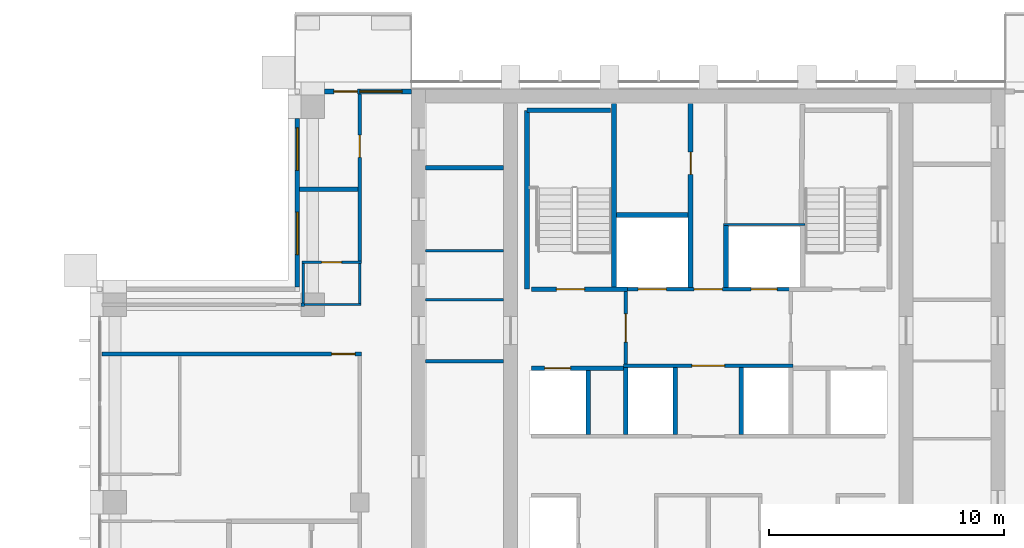
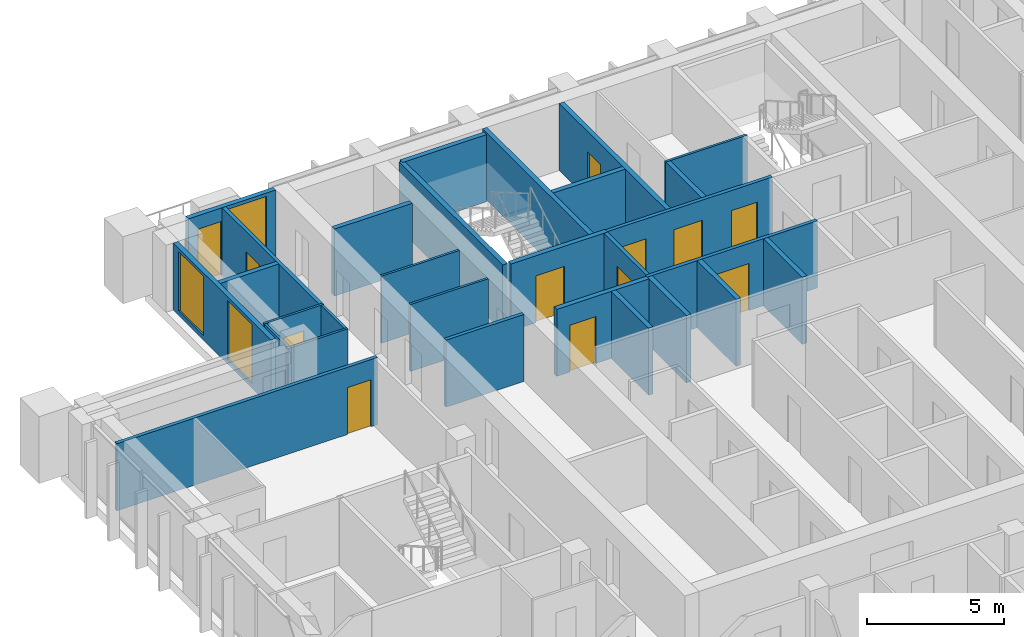
# One storey, part 13 of 19: 30 walls, 12 doors, 3 windows, 15 openings.
"""IFC4 building model written with IfcOpenShell, lengths in metres."""

from ifc_helpers import new_model, si_unit, direction, frame, frame_2d, origin, place, context, subcontext, project, spatial, rectangle, extrude, material, layer, layer_set, type_object, element, fill, save


model = new_model("IFC4")

# Units and contexts
model_context = context("Model", 3, precision=1e-05, world=origin(), true_north=direction((0.0, 1.0)))
body_context = subcontext(model_context, "Body", "Model", "MODEL_VIEW")
ifc_project = project(units=[si_unit("LENGTHUNIT", "METRE"), si_unit("AREAUNIT", "SQUARE_METRE"), si_unit("VOLUMEUNIT", "CUBIC_METRE"), si_unit("PLANEANGLEUNIT", "RADIAN"), si_unit("MASSUNIT", "GRAM", prefix="KILO")], contexts=[model_context])

# Site, building, storey
site_placement = place(None, origin())
site = spatial("IfcSite", under=ifc_project, at=site_placement, CompositionType="ELEMENT")
building_placement = place(site_placement, origin())
building = spatial("IfcBuilding", under=site, at=building_placement, Name="Vermilion Ogive Tower", CompositionType="ELEMENT")
storey_placement = place(building_placement, frame((0.0, 0.0, 213.5)))
storey = spatial("IfcBuildingStorey", under=building, at=storey_placement, Name="L56", CompositionType="ELEMENT", Elevation=213.5)

# Wall
ifc_material_1 = material(Name="Gypsum board partition on steel studs", Category="steel")
ifc_layer_1 = layer(ifc_material_1, 0.10009765625)
ifc_layer_set_1 = layer_set([ifc_layer_1], Name="Partition 100 bath")
wall_type_1 = type_object("IfcWallType", Name="Partition 100 bath", PredefinedType="PARTITIONING", material=ifc_layer_set_1)
wall_1_placement = place(storey_placement, frame((-17.25, 12.60009765625, 0.0), z_axis=(0.0, 0.0, 1.0), x_axis=(1.0, 0.0, 0.0)))
element("IfcWall", 1, at=wall_1_placement, inside=storey, type_object=wall_type_1, Name="L56-W-W034", PredefinedType="PARTITIONING", context=body_context, shape_type="SweptSolid", body=[
    extrude(rectangle(XDim=2.5, YDim=0.10009765625, at=frame_2d((1.25, 0.0))), origin(), (0.0, 0.0, 1.0), 3.0),
])

# Wall, opening, door
wall_2_placement = place(storey_placement, frame((-17.25, 14.39990234375, 0.0), z_axis=(0.0, 0.0, 1.0), x_axis=(1.0, 0.0, 0.0)))
wall_2 = element("IfcWall", 2, at=wall_2_placement, inside=storey, type_object=wall_type_1, Name="L56-W-W037", PredefinedType="PARTITIONING", context=body_context, shape_type="SweptSolid", body=[
    extrude(rectangle(XDim=2.52490234375, YDim=0.10009765625, at=frame_2d((1.262451171875, 0.0))), origin(), (0.0, 0.0, 1.0), 3.0),
])
opening_1_placement = place(wall_2_placement, frame((0.824951171875, 0.0, 0.0)))
opening_1 = element("IfcOpeningElement", 3, at=opening_1_placement, cuts=wall_2, Name="Opening D4G6009", PredefinedType="OPENING", context=body_context, shape_type="SweptSolid", body=[
    extrude(rectangle(XDim=0.85009765625, YDim=2.10009765625, at=frame_2d((0.425048828125, 1.050048828125))), frame((0.0, 0.06005859375, 0.0), z_axis=(0.0, -1.0, 0.0), x_axis=(1.0, 0.0, 0.0)), (0.0, 0.0, 1.0), 0.1201171875),
])
ifc_material_2 = material(Name="Timber door leaf", Category="wood")
door_type_1 = type_object("IfcDoorType", Name="Bath door 850 x 2100 FD30", OperationType="SINGLE_SWING_LEFT", PredefinedType="DOOR", material=ifc_material_2)
door_1_placement = place(opening_1_placement, origin())
door_1 = element("IfcDoor", 4, at=door_1_placement, inside=storey, type_object=door_type_1, Name="L56-D-D009", OperationType="SINGLE_SWING_RIGHT", OverallHeight=2.10009765625, OverallWidth=0.85009765625, PredefinedType="DOOR", context=body_context, shape_type="SweptSolid", body=[
    extrude(rectangle(XDim=0.85009765625, YDim=2.10009765625, at=frame_2d((0.425048828125, 1.050048828125))), frame((0.0, 0.02490234375, 0.0), z_axis=(0.0, -1.0, 0.0), x_axis=(1.0, 0.0, 0.0)), (0.0, 0.0, 1.0), 0.050048828125),
])
fill(opening_1, door_1)

# Walls
wall_3_placement = place(storey_placement, frame((-17.199951171875, 12.675048828125, 0.0), z_axis=(0.0, 0.0, 1.0), x_axis=(0.0, 1.0, 0.0)))
element("IfcWall", 5, at=wall_3_placement, inside=storey, type_object=wall_type_1, Name="L56-W-W045", PredefinedType="PARTITIONING", context=body_context, shape_type="SweptSolid", body=[
    extrude(rectangle(XDim=1.675048828125, YDim=0.10009765625, at=frame_2d((0.83740234375, 0.0))), origin(), (0.0, 0.0, 1.0), 3.0),
])
wall_4_placement = place(storey_placement, frame((-14.800048828125, 12.64990234375, 0.0), z_axis=(0.0, 0.0, 1.0), x_axis=(0.0, 1.0, 0.0)))
element("IfcWall", 6, at=wall_4_placement, inside=storey, type_object=wall_type_1, Name="L56-W-W051", PredefinedType="PARTITIONING", context=body_context, shape_type="SweptSolid", body=[
    extrude(rectangle(XDim=1.7001953125, YDim=0.10009765625, at=frame_2d((0.85009765625, 0.0))), origin(), (0.0, 0.0, 1.0), 3.0),
])
wall_5_placement = place(storey_placement, frame((0.64990234375, 16.0, 0.0), z_axis=(0.0, 0.0, 1.0), x_axis=(1.0, 0.0, 0.0)))
element("IfcWall", 7, at=wall_5_placement, inside=storey, type_object=wall_type_1, Name="L56-CK-W-W018", PredefinedType="PARTITIONING", context=body_context, shape_type="SweptSolid", body=[
    extrude(rectangle(XDim=3.4501953125, YDim=0.10009765625, at=frame_2d((1.72509765625, 0.0))), origin(), (0.0, 0.0, 1.0), 3.0),
])
for number, where, z_axis, x_axis, name in (
    (8, (-11.9990234375, 12.800048828125, 0.0), (0.0, 0.0, 1.0), (1.0, 0.0, 0.0), "L56-CKW-W-W003"),
    (9, (-11.9990234375, 14.89111328125, 0.0), (0.0, 0.0, 1.0), (1.0, 0.0, 0.0), "L56-CKW-W-W004"),
):
    element("IfcWall", number, at=place(storey_placement, frame(where, z_axis=z_axis, x_axis=x_axis)), inside=storey, type_object=wall_type_1, Name=name, PredefinedType="PARTITIONING", context=body_context, shape_type="SweptSolid", body=[
        extrude(rectangle(XDim=3.298095703125, YDim=0.10009765625, at=frame_2d((1.64892578125, 0.0))), origin(), (0.0, 0.0, 1.0), 3.0),
    ])

# Wall, opening, door
ifc_material_3 = material(Name="Gypsum board partition on steel studs", Category="steel")
ifc_layer_2 = layer(ifc_material_3, 0.14990234375)
ifc_layer_set_2 = layer_set([ifc_layer_2], Name="Partition 150 corridor")
wall_type_2 = type_object("IfcWallType", Name="Partition 150 corridor", PredefinedType="PARTITIONING", material=ifc_layer_set_2)
wall_6_placement = place(storey_placement, frame((-25.75, 10.5, 0.0), z_axis=(0.0, 0.0, 1.0), x_axis=(1.0, 0.0, 0.0)))
wall_6 = element("IfcWall", 10, at=wall_6_placement, inside=storey, type_object=wall_type_2, Name="L56-W-W031", PredefinedType="PARTITIONING", context=body_context, shape_type="SweptSolid", body=[
    extrude(rectangle(XDim=11.02490234375, YDim=0.14990234375, at=frame_2d((5.512451171875, 0.0))), origin(), (0.0, 0.0, 1.0), 3.0),
])
opening_2_placement = place(wall_6_placement, frame((9.75, 0.0, 0.0)))
opening_2 = element("IfcOpeningElement", 11, at=opening_2_placement, cuts=wall_6, Name="Opening D4G6005", PredefinedType="OPENING", context=body_context, shape_type="SweptSolid", body=[
    extrude(rectangle(XDim=1.0, YDim=2.10009765625, at=frame_2d((0.5, 1.050048828125))), frame((0.0, 0.0849609375, 0.0), z_axis=(0.0, -1.0, 0.0), x_axis=(1.0, 0.0, 0.0)), (0.0, 0.0, 1.0), 0.169921875),
])
ifc_material_4 = material(Name="Timber door leaf", Category="wood")
door_type_2 = type_object("IfcDoorType", Name="Unit door 1000 x 2100 FD30S", OperationType="SINGLE_SWING_LEFT", PredefinedType="DOOR", material=ifc_material_4)
door_2_placement = place(opening_2_placement, origin())
door_2 = element("IfcDoor", 12, at=door_2_placement, inside=storey, type_object=door_type_2, Name="L56-D-D005", OperationType="SINGLE_SWING_RIGHT", OverallHeight=2.10009765625, OverallWidth=1.0, PredefinedType="DOOR", context=body_context, shape_type="SweptSolid", body=[
    extrude(rectangle(XDim=1.0, YDim=2.10009765625, at=frame_2d((0.5, 1.050048828125))), frame((0.0, 0.02490234375, 0.0), z_axis=(0.0, -1.0, 0.0), x_axis=(1.0, 0.0, 0.0)), (0.0, 0.0, 1.0), 0.050048828125),
])
fill(opening_2, door_2)

wall_7_placement = place(storey_placement, frame((-14.800048828125, 14.449951171875, 0.0), z_axis=(0.0, 0.0, 1.0), x_axis=(0.0, 1.0, 0.0)))
wall_7 = element("IfcWall", 13, at=wall_7_placement, inside=storey, type_object=wall_type_2, Name="L56-W-W052", PredefinedType="PARTITIONING", context=body_context, shape_type="SweptSolid", body=[
    extrude(rectangle(XDim=7.10009765625, YDim=0.14990234375, at=frame_2d((3.550048828125, 0.0))), origin(), (0.0, 0.0, 1.0), 3.0),
])
opening_3_placement = place(wall_7_placement, frame((4.400146484375, 0.0, 0.0)))
opening_3 = element("IfcOpeningElement", 14, at=opening_3_placement, cuts=wall_7, Name="Opening D4G6010", PredefinedType="OPENING", context=body_context, shape_type="SweptSolid", body=[
    extrude(rectangle(XDim=0.949951171875, YDim=2.10009765625, at=frame_2d((0.47509765625, 1.050048828125))), frame((0.0, 0.0849609375, 0.0), z_axis=(0.0, -1.0, 0.0), x_axis=(1.0, 0.0, 0.0)), (0.0, 0.0, 1.0), 0.169921875),
])
ifc_material_5 = material(Name="Timber door leaf", Category="wood")
door_type_3 = type_object("IfcDoorType", Name="Unit door 950 x 2100 FD30S", OperationType="SINGLE_SWING_LEFT", PredefinedType="DOOR", material=ifc_material_5)
door_3_placement = place(opening_3_placement, origin())
door_3 = element("IfcDoor", 15, at=door_3_placement, inside=storey, type_object=door_type_3, Name="L56-D-D010", OperationType="SINGLE_SWING_LEFT", OverallHeight=2.10009765625, OverallWidth=0.949951171875, PredefinedType="DOOR", context=body_context, shape_type="SweptSolid", body=[
    extrude(rectangle(XDim=0.949951171875, YDim=2.10009765625, at=frame_2d((0.47509765625, 1.050048828125))), frame((0.0, 0.02490234375, 0.0), z_axis=(0.0, -1.0, 0.0), x_axis=(1.0, 0.0, 0.0)), (0.0, 0.0, 1.0), 0.050048828125),
])
fill(opening_3, door_3)

wall_8_placement = place(storey_placement, frame((-3.60009765625, 10.0, 0.0), z_axis=(0.0, 0.0, 1.0), x_axis=(1.0, 0.0, 0.0)))
wall_8 = element("IfcWall", 16, at=wall_8_placement, inside=storey, type_object=wall_type_2, Name="L56-CK-W-W014", PredefinedType="PARTITIONING", context=body_context, shape_type="SweptSolid", body=[
    extrude(rectangle(XDim=7.2001953125, YDim=0.14990234375, at=frame_2d((3.60009765625, 0.0))), origin(), (0.0, 0.0, 1.0), 3.0),
])
opening_4_placement = place(wall_8_placement, frame((2.900146484375, 0.0, 0.0)))
opening_4 = element("IfcOpeningElement", 17, at=opening_4_placement, cuts=wall_8, Name="Opening DAA517", PredefinedType="OPENING", context=body_context, shape_type="SweptSolid", body=[
    extrude(rectangle(XDim=1.39990234375, YDim=2.10009765625, at=frame_2d((0.699951171875, 1.050048828125))), frame((0.0, 0.0849609375, 0.0), z_axis=(0.0, -1.0, 0.0), x_axis=(1.0, 0.0, 0.0)), (0.0, 0.0, 1.0), 0.169921875),
])
ifc_material_6 = material(Name="Timber door leaf", Category="wood")
door_type_4 = type_object("IfcDoorType", Name="Lobby door 1400 x 2100 FD60S", OperationType="SINGLE_SWING_LEFT", PredefinedType="DOOR", material=ifc_material_6)
door_4_placement = place(opening_4_placement, origin())
door_4 = element("IfcDoor", 18, at=door_4_placement, inside=storey, type_object=door_type_4, Name="L56-CK-D-D017", OperationType="SINGLE_SWING_RIGHT", OverallHeight=2.10009765625, OverallWidth=1.39990234375, PredefinedType="DOOR", context=body_context, shape_type="SweptSolid", body=[
    extrude(rectangle(XDim=1.39990234375, YDim=2.10009765625, at=frame_2d((0.699951171875, 1.050048828125))), frame((0.0, 0.02490234375, 0.0), z_axis=(0.0, -1.0, 0.0), x_axis=(1.0, 0.0, 0.0)), (0.0, 0.0, 1.0), 0.050048828125),
])
fill(opening_4, door_4)

# Wall, openings, doors
wall_9_placement = place(storey_placement, frame((-3.574951171875, 13.25, 0.0), z_axis=(0.0, 0.0, 1.0), x_axis=(1.0, 0.0, 0.0)))
wall_9 = element("IfcWall", 19, at=wall_9_placement, inside=storey, type_object=wall_type_2, Name="L56-CK-W-W016", PredefinedType="PARTITIONING", context=body_context, shape_type="SweptSolid", body=[
    extrude(rectangle(XDim=7.14990234375, YDim=0.14990234375, at=frame_2d((3.574951171875, 0.0))), origin(), (0.0, 0.0, 1.0), 3.0),
])
opening_5_placement = place(wall_9_placement, frame((0.599853515625, 0.0, 0.0)))
opening_5 = element("IfcOpeningElement", 20, at=opening_5_placement, cuts=wall_9, Name="Opening DAA537", PredefinedType="OPENING", context=body_context, shape_type="SweptSolid", body=[
    extrude(rectangle(XDim=1.199951171875, YDim=2.10009765625, at=frame_2d((0.60009765625, 1.050048828125))), frame((0.0, 0.0849609375, 0.0), z_axis=(0.0, -1.0, 0.0), x_axis=(1.0, 0.0, 0.0)), (0.0, 0.0, 1.0), 0.169921875),
])
opening_6_placement = place(wall_9_placement, frame((5.39990234375, 0.0, 0.0)))
opening_6 = element("IfcOpeningElement", 21, at=opening_6_placement, cuts=wall_9, Name="Opening DAA536", PredefinedType="OPENING", context=body_context, shape_type="SweptSolid", body=[
    extrude(rectangle(XDim=1.10009765625, YDim=2.10009765625, at=frame_2d((0.550048828125, 1.050048828125))), frame((0.0, 0.0849609375, 0.0), z_axis=(0.0, -1.0, 0.0), x_axis=(1.0, 0.0, 0.0)), (0.0, 0.0, 1.0), 0.169921875),
])
opening_7_placement = place(wall_9_placement, frame((2.974853515625, 0.0, 0.0)))
opening_7 = element("IfcOpeningElement", 22, at=opening_7_placement, cuts=wall_9, Name="Opening DAA518", PredefinedType="OPENING", context=body_context, shape_type="SweptSolid", body=[
    extrude(rectangle(XDim=1.199951171875, YDim=2.10009765625, at=frame_2d((0.60009765625, 1.050048828125))), frame((0.0, 0.0849609375, 0.0), z_axis=(0.0, -1.0, 0.0), x_axis=(1.0, 0.0, 0.0)), (0.0, 0.0, 1.0), 0.169921875),
])
ifc_material_7 = material(Name="Stainless steel", Category="steel")
door_type_5 = type_object("IfcDoorType", Name="Lift landing door 1100 x 2100", OperationType="SLIDING_TO_LEFT", PredefinedType="DOOR", material=ifc_material_7)
door_5_placement = place(opening_6_placement, origin())
door_5 = element("IfcDoor", 23, at=door_5_placement, inside=storey, type_object=door_type_5, Name="L56-CK-D-D019", OperationType="SLIDING_TO_LEFT", OverallHeight=2.10009765625, OverallWidth=1.10009765625, PredefinedType="DOOR", context=body_context, shape_type="SweptSolid", body=[
    extrude(rectangle(XDim=1.10009765625, YDim=2.10009765625, at=frame_2d((0.550048828125, 1.050048828125))), frame((0.0, 0.02490234375, 0.0), z_axis=(0.0, -1.0, 0.0), x_axis=(1.0, 0.0, 0.0)), (0.0, 0.0, 1.0), 0.050048828125),
])
fill(opening_6, door_5)
ifc_material_8 = material(Name="Stainless steel", Category="steel")
door_type_6 = type_object("IfcDoorType", Name="Lift landing door 1200 x 2100", OperationType="SLIDING_TO_LEFT", PredefinedType="DOOR", material=ifc_material_8)
door_6_placement = place(opening_5_placement, origin())
door_6 = element("IfcDoor", 24, at=door_6_placement, inside=storey, type_object=door_type_6, Name="L56-CK-D-D018", OperationType="SLIDING_TO_RIGHT", OverallHeight=2.10009765625, OverallWidth=1.199951171875, PredefinedType="DOOR", context=body_context, shape_type="SweptSolid", body=[
    extrude(rectangle(XDim=1.199951171875, YDim=2.10009765625, at=frame_2d((0.60009765625, 1.050048828125))), frame((0.0, 0.02490234375, 0.0), z_axis=(0.0, -1.0, 0.0), x_axis=(1.0, 0.0, 0.0)), (0.0, 0.0, 1.0), 0.050048828125),
])
fill(opening_5, door_6)
ifc_material_9 = material(Name="Timber door leaf", Category="wood")
door_type_7 = type_object("IfcDoorType", Name="Service door 1200 x 2100 FD60", OperationType="SINGLE_SWING_LEFT", PredefinedType="DOOR", material=ifc_material_9)
door_7_placement = place(opening_7_placement, origin())
door_7 = element("IfcDoor", 25, at=door_7_placement, inside=storey, type_object=door_type_7, Name="L56-CK-D-D020", OperationType="SINGLE_SWING_RIGHT", OverallHeight=2.10009765625, OverallWidth=1.199951171875, PredefinedType="DOOR", context=body_context, shape_type="SweptSolid", body=[
    extrude(rectangle(XDim=1.199951171875, YDim=2.10009765625, at=frame_2d((0.60009765625, 1.050048828125))), frame((0.0, 0.02490234375, 0.0), z_axis=(0.0, -1.0, 0.0), x_axis=(1.0, 0.0, 0.0)), (0.0, 0.0, 1.0), 0.050048828125),
])
fill(opening_7, door_7)

# Wall, opening, door
wall_10_placement = place(storey_placement, frame((-3.5, 10.074951171875, 0.0), z_axis=(0.0, 0.0, 1.0), x_axis=(0.0, 1.0, 0.0)))
wall_10 = element("IfcWall", 26, at=wall_10_placement, inside=storey, type_object=wall_type_2, Name="L56-CK-W-W024", PredefinedType="PARTITIONING", context=body_context, shape_type="SweptSolid", body=[
    extrude(rectangle(XDim=3.074951171875, YDim=0.14990234375, at=frame_2d((1.53759765625, 0.0))), origin(), (0.0, 0.0, 1.0), 3.0),
])
opening_8_placement = place(wall_10_placement, frame((0.925048828125, 0.0, 0.0)))
opening_8 = element("IfcOpeningElement", 27, at=opening_8_placement, cuts=wall_10, Name="Opening DAA514", PredefinedType="OPENING", context=body_context, shape_type="SweptSolid", body=[
    extrude(rectangle(XDim=1.199951171875, YDim=2.10009765625, at=frame_2d((0.60009765625, 1.050048828125))), frame((0.0, 0.0849609375, 0.0), z_axis=(0.0, -1.0, 0.0), x_axis=(1.0, 0.0, 0.0)), (0.0, 0.0, 1.0), 0.169921875),
])
ifc_material_10 = material(Name="Timber door leaf", Category="wood")
door_type_8 = type_object("IfcDoorType", Name="Lobby door 1200 x 2100 FD60S", OperationType="SINGLE_SWING_LEFT", PredefinedType="DOOR", material=ifc_material_10)
door_8_placement = place(opening_8_placement, origin())
door_8 = element("IfcDoor", 28, at=door_8_placement, inside=storey, type_object=door_type_8, Name="L56-CK-D-D023", OperationType="SINGLE_SWING_RIGHT", OverallHeight=2.10009765625, OverallWidth=1.199951171875, PredefinedType="DOOR", context=body_context, shape_type="SweptSolid", body=[
    extrude(rectangle(XDim=1.199951171875, YDim=2.10009765625, at=frame_2d((0.60009765625, 1.050048828125))), frame((0.0, 0.02490234375, 0.0), z_axis=(0.0, -1.0, 0.0), x_axis=(1.0, 0.0, 0.0)), (0.0, 0.0, 1.0), 0.050048828125),
])
fill(opening_8, door_8)

# Walls
wall_11_placement = place(storey_placement, frame((-11.9990234375, 10.199951171875, 0.0), z_axis=(0.0, 0.0, 1.0), x_axis=(1.0, 0.0, 0.0)))
element("IfcWall", 29, at=wall_11_placement, inside=storey, type_object=wall_type_2, Name="L56-CKW-W-W002", PredefinedType="PARTITIONING", context=body_context, shape_type="SweptSolid", body=[
    extrude(rectangle(XDim=3.298095703125, YDim=0.14990234375, at=frame_2d((1.64892578125, 0.0))), origin(), (0.0, 0.0, 1.0), 3.0),
])
wall_12_placement = place(storey_placement, frame((-17.300048828125, 12.60009765625, 0.0), z_axis=(0.0, 0.0, 1.0), x_axis=(1.0, 0.0, 0.0)))
element("IfcWall", 30, at=wall_12_placement, inside=storey, type_object=wall_type_2, Name="L56-W-W033-h2", PredefinedType="PARTITIONING", context=body_context, shape_type="SweptSolid", body=[
    extrude(rectangle(XDim=0.150146484375, YDim=0.14990234375, at=frame_2d((0.0751953125, 0.0))), origin(), (0.0, 0.0, 1.0), 3.0),
])
ifc_material_11 = material(Name="Gypsum board partition on steel studs", Category="steel")
ifc_layer_3 = layer(ifc_material_11, 0.199951171875)
ifc_layer_set_3 = layer_set([ifc_layer_3], Name="Partition 200 party")
wall_type_3 = type_object("IfcWallType", Name="Partition 200 party", PredefinedType="PARTITIONING", material=ifc_layer_set_3)
wall_13_placement = place(storey_placement, frame((-17.35009765625, 17.5, 0.0), z_axis=(0.0, 0.0, 1.0), x_axis=(1.0, 0.0, 0.0)))
element("IfcWall", 31, at=wall_13_placement, inside=storey, type_object=wall_type_3, Name="L56-W-W039", PredefinedType="PARTITIONING", context=body_context, shape_type="SweptSolid", body=[
    extrude(rectangle(XDim=2.47509765625, YDim=0.199951171875, at=frame_2d((1.237548828125, 0.0))), origin(), (0.0, 0.0, 1.0), 3.0),
])

# Wall, opening, door
wall_14_placement = place(storey_placement, frame((-7.5, 9.89990234375, 0.0), z_axis=(0.0, 0.0, 1.0), x_axis=(1.0, 0.0, 0.0)))
wall_14 = element("IfcWall", 32, at=wall_14_placement, inside=storey, type_object=wall_type_3, Name="L56-CK-W-W012", PredefinedType="PARTITIONING", context=body_context, shape_type="SweptSolid", body=[
    extrude(rectangle(XDim=3.89990234375, YDim=0.199951171875, at=frame_2d((1.949951171875, 0.0))), origin(), (0.0, 0.0, 1.0), 3.0),
])
opening_9_placement = place(wall_14_placement, frame((0.550048828125, 0.0, 0.0)))
opening_9 = element("IfcOpeningElement", 33, at=opening_9_placement, cuts=wall_14, Name="Opening DAA534", PredefinedType="OPENING", context=body_context, shape_type="SweptSolid", body=[
    extrude(rectangle(XDim=1.10009765625, YDim=2.10009765625, at=frame_2d((0.550048828125, 1.050048828125))), frame((0.0, 0.10986328125, 0.0), z_axis=(0.0, -1.0, 0.0), x_axis=(1.0, 0.0, 0.0)), (0.0, 0.0, 1.0), 0.219970703125),
])
door_9_placement = place(opening_9_placement, origin())
door_9 = element("IfcDoor", 34, at=door_9_placement, inside=storey, type_object=door_type_5, Name="L56-CK-D-D013", OperationType="SLIDING_TO_RIGHT", OverallHeight=2.10009765625, OverallWidth=1.10009765625, PredefinedType="DOOR", context=body_context, shape_type="SweptSolid", body=[
    extrude(rectangle(XDim=1.10009765625, YDim=2.10009765625, at=frame_2d((0.550048828125, 1.050048828125))), frame((0.0, 0.02490234375, 0.0), z_axis=(0.0, -1.0, 0.0), x_axis=(1.0, 0.0, 0.0)), (0.0, 0.0, 1.0), 0.050048828125),
])
fill(opening_9, door_9)

# Walls
wall_15_placement = place(storey_placement, frame((-3.89990234375, 16.39990234375, 0.0), z_axis=(0.0, 0.0, 1.0), x_axis=(1.0, 0.0, 0.0)))
element("IfcWall", 35, at=wall_15_placement, inside=storey, type_object=wall_type_3, Name="L56-CK-W-W019", PredefinedType="PARTITIONING", context=body_context, shape_type="SweptSolid", body=[
    extrude(rectangle(XDim=3.0498046875, YDim=0.199951171875, at=frame_2d((1.52490234375, 0.0))), origin(), (0.0, 0.0, 1.0), 3.0),
])
wall_16_placement = place(storey_placement, frame((-5.10009765625, 7.074951171875, 0.0), z_axis=(0.0, 0.0, 1.0), x_axis=(0.0, 1.0, 0.0)))
element("IfcWall", 36, at=wall_16_placement, inside=storey, type_object=wall_type_3, Name="L56-CK-W-W021", PredefinedType="PARTITIONING", context=body_context, shape_type="SweptSolid", body=[
    extrude(rectangle(XDim=2.72509765625, YDim=0.199951171875, at=frame_2d((1.362548828125, 0.0))), origin(), (0.0, 0.0, 1.0), 3.0),
])
for number, where, z_axis, x_axis, name in (
    (37, (-3.5, 7.074951171875, 0.0), (0.0, 0.0, 1.0), (0.0, 1.0, 0.0), "L56-CK-W-W023"),
    (38, (-1.39990234375, 7.074951171875, 0.0), (0.0, 0.0, 1.0), (0.0, 1.0, 0.0), "L56-CK-W-W026"),
):
    element("IfcWall", number, at=place(storey_placement, frame(where, z_axis=z_axis, x_axis=x_axis)), inside=storey, type_object=wall_type_3, Name=name, PredefinedType="PARTITIONING", context=body_context, shape_type="SweptSolid", body=[
        extrude(rectangle(XDim=2.85009765625, YDim=0.199951171875, at=frame_2d((1.425048828125, 0.0))), origin(), (0.0, 0.0, 1.0), 3.0),
    ])

# Wall, opening, door
wall_17_placement = place(storey_placement, frame((-0.75, 13.324951171875, 0.0), z_axis=(0.0, 0.0, 1.0), x_axis=(0.0, 1.0, 0.0)))
wall_17 = element("IfcWall", 39, at=wall_17_placement, inside=storey, type_object=wall_type_3, Name="L56-CK-W-W027", PredefinedType="PARTITIONING", context=body_context, shape_type="SweptSolid", body=[
    extrude(rectangle(XDim=7.823974609375, YDim=0.199951171875, at=frame_2d((3.912109375, 0.0))), origin(), (0.0, 0.0, 1.0), 3.0),
])
opening_10_placement = place(wall_17_placement, frame((4.800048828125, 0.0, 0.0)))
opening_10 = element("IfcOpeningElement", 40, at=opening_10_placement, cuts=wall_17, Name="Opening DAA525", PredefinedType="OPENING", context=body_context, shape_type="SweptSolid", body=[
    extrude(rectangle(XDim=0.949951171875, YDim=2.10009765625, at=frame_2d((0.47509765625, 1.050048828125))), frame((0.0, 0.10986328125, 0.0), z_axis=(0.0, -1.0, 0.0), x_axis=(1.0, 0.0, 0.0)), (0.0, 0.0, 1.0), 0.219970703125),
])
ifc_material_12 = material(Name="Timber door leaf", Category="wood")
door_type_9 = type_object("IfcDoorType", Name="Service door 950 x 2100 FD60", OperationType="SINGLE_SWING_LEFT", PredefinedType="DOOR", material=ifc_material_12)
door_10_placement = place(opening_10_placement, origin())
door_10 = element("IfcDoor", 41, at=door_10_placement, inside=storey, type_object=door_type_9, Name="L56-CK-D-D021", OperationType="SINGLE_SWING_RIGHT", OverallHeight=2.10009765625, OverallWidth=0.949951171875, PredefinedType="DOOR", context=body_context, shape_type="SweptSolid", body=[
    extrude(rectangle(XDim=0.949951171875, YDim=2.10009765625, at=frame_2d((0.47509765625, 1.050048828125))), frame((0.0, 0.02490234375, 0.0), z_axis=(0.0, -1.0, 0.0), x_axis=(1.0, 0.0, 0.0)), (0.0, 0.0, 1.0), 0.050048828125),
])
fill(opening_10, door_10)

# Walls
wall_18_placement = place(storey_placement, frame((0.75, 13.324951171875, 0.0), z_axis=(0.0, 0.0, 1.0), x_axis=(0.0, 1.0, 0.0)))
element("IfcWall", 42, at=wall_18_placement, inside=storey, type_object=wall_type_3, Name="L56-CK-W-W029", PredefinedType="PARTITIONING", context=body_context, shape_type="SweptSolid", body=[
    extrude(rectangle(XDim=2.625, YDim=0.199951171875, at=frame_2d((1.3125, 0.0))), origin(), (0.0, 0.0, 1.0), 3.0),
])
wall_19_placement = place(storey_placement, frame((1.39990234375, 7.074951171875, 0.0), z_axis=(0.0, 0.0, 1.0), x_axis=(0.0, 1.0, 0.0)))
element("IfcWall", 43, at=wall_19_placement, inside=storey, type_object=wall_type_3, Name="L56-CK-W-W031", PredefinedType="PARTITIONING", context=body_context, shape_type="SweptSolid", body=[
    extrude(rectangle(XDim=2.85009765625, YDim=0.199951171875, at=frame_2d((1.425048828125, 0.0))), origin(), (0.0, 0.0, 1.0), 3.0),
])
wall_20_placement = place(storey_placement, frame((-11.9990234375, 18.410888671875, 0.0), z_axis=(0.0, 0.0, 1.0), x_axis=(1.0, 0.0, 0.0)))
element("IfcWall", 44, at=wall_20_placement, inside=storey, type_object=wall_type_3, Name="L56-CKW-W-W005", PredefinedType="PARTITIONING", context=body_context, shape_type="SweptSolid", body=[
    extrude(rectangle(XDim=3.298095703125, YDim=0.199951171875, at=frame_2d((1.64892578125, 0.0))), origin(), (0.0, 0.0, 1.0), 3.0),
])

# Wall, opening, door
ifc_material_13 = material(Name="Concrete B60", Category="concrete")
ifc_layer_4 = layer(ifc_material_13, 0.199951171875)
ifc_layer_set_4 = layer_set([ifc_layer_4], Name="Stair shaft wall 200 Concrete B60")
wall_type_4 = type_object("IfcWallType", Name="Stair shaft wall 200 Concrete B60", PredefinedType="SOLIDWALL", material=ifc_layer_set_4)
wall_21_placement = place(storey_placement, frame((-7.5, 13.25, 0.0), z_axis=(0.0, 0.0, 1.0), x_axis=(1.0, 0.0, 0.0)))
wall_21 = element("IfcWall", 45, at=wall_21_placement, inside=storey, type_object=wall_type_4, Name="L56-CK-W-W015", PredefinedType="SOLIDWALL", context=body_context, shape_type="SweptSolid", body=[
    extrude(rectangle(XDim=4.074951171875, YDim=0.199951171875, at=frame_2d((2.03759765625, 0.0))), origin(), (0.0, 0.0, 1.0), 3.0),
])
opening_11_placement = place(wall_21_placement, frame((1.050048828125, 0.0, 0.0)))
opening_11 = element("IfcOpeningElement", 46, at=opening_11_placement, cuts=wall_21, Name="Opening DAA527", PredefinedType="OPENING", context=body_context, shape_type="SweptSolid", body=[
    extrude(rectangle(XDim=1.199951171875, YDim=2.10009765625, at=frame_2d((0.60009765625, 1.050048828125))), frame((0.0, 0.10986328125, 0.0), z_axis=(0.0, -1.0, 0.0), x_axis=(1.0, 0.0, 0.0)), (0.0, 0.0, 1.0), 0.219970703125),
])
ifc_material_14 = material(Name="Timber door leaf", Category="wood")
door_type_10 = type_object("IfcDoorType", Name="Stair door 1200 x 2100 FD60S", OperationType="SINGLE_SWING_LEFT", PredefinedType="DOOR", material=ifc_material_14)
door_11_placement = place(opening_11_placement, origin())
door_11 = element("IfcDoor", 47, at=door_11_placement, inside=storey, type_object=door_type_10, Name="L56-CK-D-D012", OperationType="SINGLE_SWING_LEFT", OverallHeight=2.10009765625, OverallWidth=1.199951171875, PredefinedType="DOOR", context=body_context, shape_type="SweptSolid", body=[
    extrude(rectangle(XDim=1.199951171875, YDim=2.10009765625, at=frame_2d((0.60009765625, 1.050048828125))), frame((0.0, 0.02490234375, 0.0), z_axis=(0.0, -1.0, 0.0), x_axis=(1.0, 0.0, 0.0)), (0.0, 0.0, 1.0), 0.050048828125),
])
fill(opening_11, door_11)

# Walls
wall_22_placement = place(storey_placement, frame((-4.0, 13.35009765625, 0.0), z_axis=(0.0, 0.0, 1.0), x_axis=(0.0, 1.0, 0.0)))
element("IfcWall", 48, at=wall_22_placement, inside=storey, type_object=wall_type_4, Name="L56-CK-W-W022", PredefinedType="SOLIDWALL", context=body_context, shape_type="SweptSolid", body=[
    extrude(rectangle(XDim=7.798828125, YDim=0.199951171875, at=frame_2d((3.8994140625, 0.0))), origin(), (0.0, 0.0, 1.0), 3.0),
])
wall_23_placement = place(storey_placement, frame((-7.699951171875, 13.25, 0.0), z_axis=(0.0, 0.0, 1.0), x_axis=(0.0, 1.0, 0.0)))
element("IfcWall", 49, at=wall_23_placement, inside=storey, type_object=wall_type_4, Name="L56-SW-R018-W1", PredefinedType="SOLIDWALL", context=body_context, shape_type="SweptSolid", body=[
    extrude(rectangle(XDim=7.60009765625, YDim=0.199951171875, at=frame_2d((3.800048828125, 0.0))), origin(), (0.0, 0.0, 1.0), 3.0),
])
wall_24_placement = place(storey_placement, frame((-7.699951171875, 20.85009765625, 0.0), z_axis=(0.0, 0.0, 1.0), x_axis=(1.0, 0.0, 0.0)))
element("IfcWall", 50, at=wall_24_placement, inside=storey, type_object=wall_type_4, Name="L56-SW-R018-N1", PredefinedType="SOLIDWALL", context=body_context, shape_type="SweptSolid", body=[
    extrude(rectangle(XDim=3.550048828125, YDim=0.199951171875, at=frame_2d((1.77490234375, 0.0))), origin(), (0.0, 0.0, 1.0), 3.0),
])

# Wall, openings, door, window
ifc_material_15 = material(Name="Aluminium window wall framing", Category="aluminium")
ifc_layer_5 = layer(ifc_material_15, 0.199951171875)
ifc_layer_set_5 = layer_set([ifc_layer_5], Name="Window wall")
wall_type_5 = type_object("IfcWallType", Name="Window wall", PredefinedType="STANDARD", material=ifc_layer_set_5)
wall_25_placement = place(storey_placement, frame((-12.60009765625, 21.64990234375, 0.0), z_axis=(0.0, 0.0, 1.0), x_axis=(-1.0, 0.0, 0.0)))
wall_25 = element("IfcWall", 51, at=wall_25_placement, inside=storey, type_object=wall_type_5, Name="Window wall N21", PredefinedType="STANDARD", context=body_context, shape_type="SweptSolid", body=[
    extrude(rectangle(XDim=3.699951171875, YDim=0.199951171875, at=frame_2d((1.85009765625, 0.0))), origin(), (0.0, 0.0, 1.0), 3.0),
])
opening_12_placement = place(wall_25_placement, frame((0.39990234375, 0.0, 0.199951171875)))
opening_12 = element("IfcOpeningElement", 52, at=opening_12_placement, cuts=wall_25, Name="Opening W1-N296", PredefinedType="OPENING", context=body_context, shape_type="SweptSolid", body=[
    extrude(rectangle(XDim=1.800048828125, YDim=2.64990234375, at=frame_2d((0.89990234375, 1.324951171875))), frame((0.0, 0.10986328125, 0.0), z_axis=(0.0, -1.0, 0.0), x_axis=(1.0, 0.0, 0.0)), (0.0, 0.0, 1.0), 0.219970703125),
])
opening_13_placement = place(wall_25_placement, frame((2.300048828125, 0.0, 0.0)))
opening_13 = element("IfcOpeningElement", 53, at=opening_13_placement, cuts=wall_25, Name="Opening D1-N296", PredefinedType="OPENING", context=body_context, shape_type="SweptSolid", body=[
    extrude(rectangle(XDim=1.0, YDim=2.39990234375, at=frame_2d((0.5, 1.199951171875))), frame((0.0, 0.10986328125, 0.0), z_axis=(0.0, -1.0, 0.0), x_axis=(1.0, 0.0, 0.0)), (0.0, 0.0, 1.0), 0.219970703125),
])
ifc_material_16 = material(Name="Aluminium framed glazed door", Category="aluminium")
door_type_11 = type_object("IfcDoorType", Name="Balcony door D1", OperationType="SINGLE_SWING_LEFT", PredefinedType="DOOR", material=ifc_material_16)
door_12_placement = place(opening_13_placement, origin())
door_12 = element("IfcDoor", 54, at=door_12_placement, inside=storey, type_object=door_type_11, Name="Balcony door N296", OperationType="SINGLE_SWING_LEFT", OverallHeight=2.39990234375, OverallWidth=1.0, PredefinedType="DOOR", context=body_context, shape_type="SweptSolid", body=[
    extrude(rectangle(XDim=1.0, YDim=2.39990234375, at=frame_2d((0.5, 1.199951171875))), frame((0.0, 0.02490234375, 0.0), z_axis=(0.0, -1.0, 0.0), x_axis=(1.0, 0.0, 0.0)), (0.0, 0.0, 1.0), 0.050048828125),
])
fill(opening_13, door_12)
ifc_material_17 = material(Name="Aluminium framed double glazing", Category="aluminium")
window_type = type_object("IfcWindowType", Name="Guest window W1", PartitioningType="SINGLE_PANEL", PredefinedType="WINDOW", material=ifc_material_17)
window_1_placement = place(opening_12_placement, origin())
window_1 = element("IfcWindow", 55, at=window_1_placement, inside=storey, type_object=window_type, Name="Window N296", OverallHeight=2.64990234375, OverallWidth=1.800048828125, PartitioningType="SINGLE_PANEL", PredefinedType="WINDOW", context=body_context, shape_type="SweptSolid", body=[
    extrude(rectangle(XDim=1.800048828125, YDim=2.64990234375, at=frame_2d((0.89990234375, 1.324951171875))), frame((0.0, 0.030029296875, 0.0), z_axis=(0.0, -1.0, 0.0), x_axis=(1.0, 0.0, 0.0)), (0.0, 0.0, 1.0), 0.06005859375),
])
fill(opening_12, window_1)

# Wall, openings, windows
wall_26_placement = place(storey_placement, frame((-17.449951171875, 20.5, 0.0), z_axis=(0.0, 0.0, 1.0), x_axis=(0.0, -1.0, 0.0)))
wall_26 = element("IfcWall", 56, at=wall_26_placement, inside=storey, type_object=wall_type_5, Name="Window wall X51", PredefinedType="STANDARD", context=body_context, shape_type="SweptSolid", body=[
    extrude(rectangle(XDim=7.14990234375, YDim=0.199951171875, at=frame_2d((3.574951171875, 0.0))), origin(), (0.0, 0.0, 1.0), 3.0),
])
opening_14_placement = place(wall_26_placement, frame((3.97509765625, 0.0, 0.199951171875)))
opening_14 = element("IfcOpeningElement", 57, at=opening_14_placement, cuts=wall_26, Name="Opening W1-X503", PredefinedType="OPENING", context=body_context, shape_type="SweptSolid", body=[
    extrude(rectangle(XDim=1.800048828125, YDim=2.64990234375, at=frame_2d((0.89990234375, 1.324951171875))), frame((0.0, 0.10986328125, 0.0), z_axis=(0.0, -1.0, 0.0), x_axis=(1.0, 0.0, 0.0)), (0.0, 0.0, 1.0), 0.219970703125),
])
opening_15_placement = place(wall_26_placement, frame((0.39990234375, 0.0, 0.199951171875)))
opening_15 = element("IfcOpeningElement", 58, at=opening_15_placement, cuts=wall_26, Name="Opening W1-X504", PredefinedType="OPENING", context=body_context, shape_type="SweptSolid", body=[
    extrude(rectangle(XDim=1.800048828125, YDim=2.64990234375, at=frame_2d((0.89990234375, 1.324951171875))), frame((0.0, 0.10986328125, 0.0), z_axis=(0.0, -1.0, 0.0), x_axis=(1.0, 0.0, 0.0)), (0.0, 0.0, 1.0), 0.219970703125),
])
window_2_placement = place(opening_14_placement, origin())
window_2 = element("IfcWindow", 59, at=window_2_placement, inside=storey, type_object=window_type, Name="Window X503", OverallHeight=2.64990234375, OverallWidth=1.800048828125, PartitioningType="SINGLE_PANEL", PredefinedType="WINDOW", context=body_context, shape_type="SweptSolid", body=[
    extrude(rectangle(XDim=1.800048828125, YDim=2.64990234375, at=frame_2d((0.89990234375, 1.324951171875))), frame((0.0, 0.030029296875, 0.0), z_axis=(0.0, -1.0, 0.0), x_axis=(1.0, 0.0, 0.0)), (0.0, 0.0, 1.0), 0.06005859375),
])
fill(opening_14, window_2)
window_3_placement = place(opening_15_placement, origin())
window_3 = element("IfcWindow", 60, at=window_3_placement, inside=storey, type_object=window_type, Name="Window X504", OverallHeight=2.64990234375, OverallWidth=1.800048828125, PartitioningType="SINGLE_PANEL", PredefinedType="WINDOW", context=body_context, shape_type="SweptSolid", body=[
    extrude(rectangle(XDim=1.800048828125, YDim=2.64990234375, at=frame_2d((0.89990234375, 1.324951171875))), frame((0.0, 0.030029296875, 0.0), z_axis=(0.0, -1.0, 0.0), x_axis=(1.0, 0.0, 0.0)), (0.0, 0.0, 1.0), 0.06005859375),
])
fill(opening_15, window_3)

save(model, "model.ifc")
